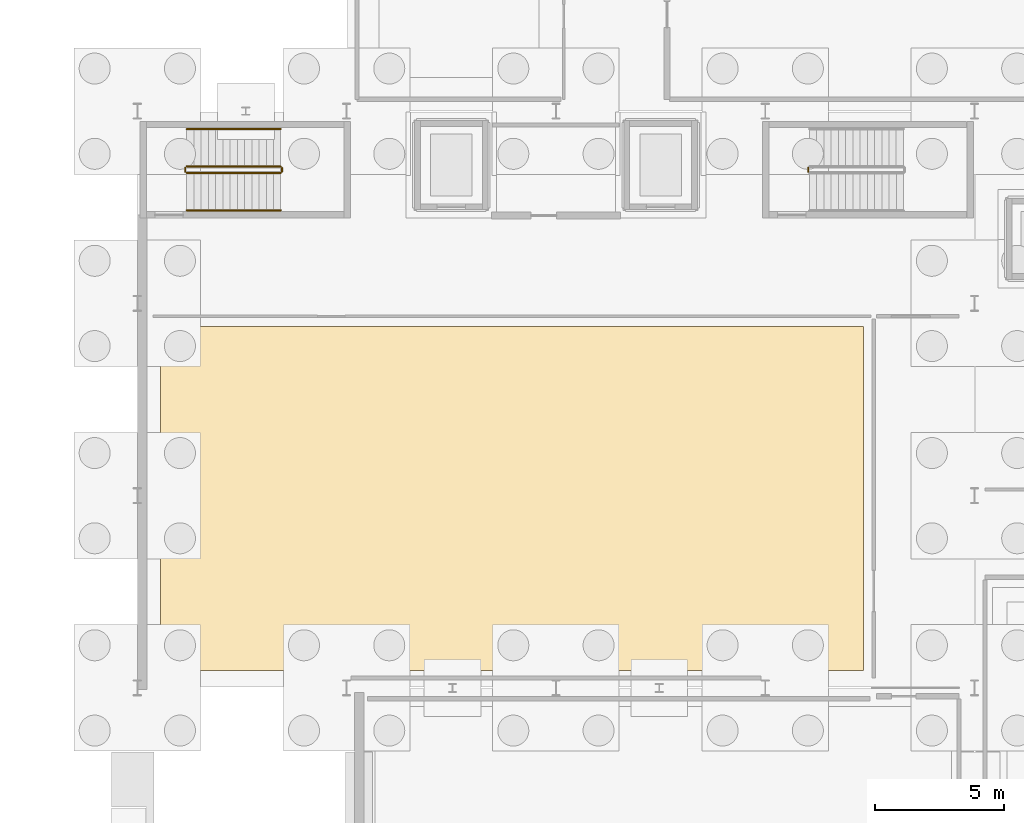
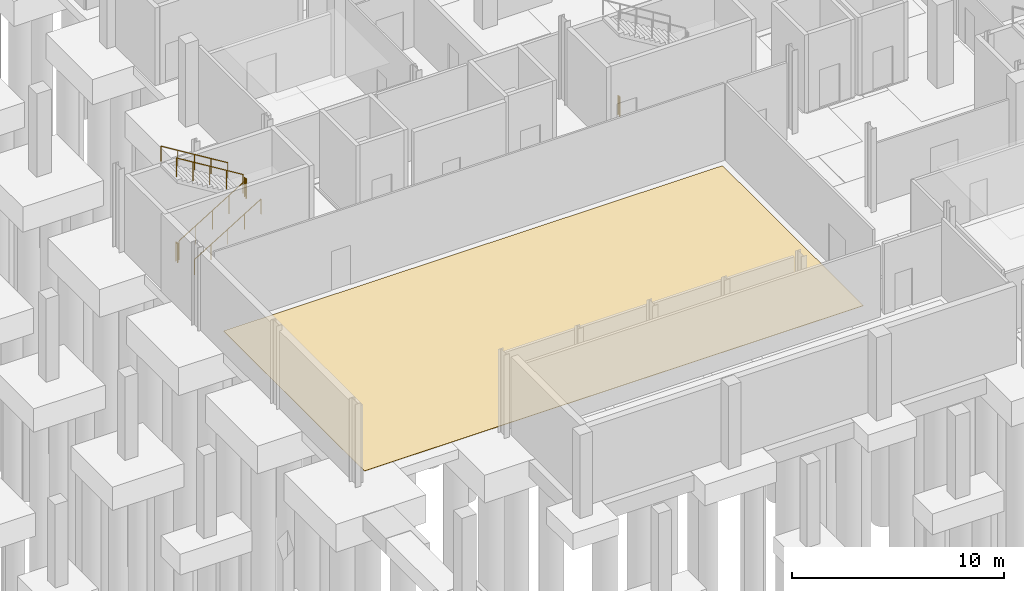
# One storey, part 34 of 37: 7 railings, 1 covering.
"""IFC4 building model written with IfcOpenShell, lengths in metres."""

import ifcopenshell
import ifcopenshell.guid

model = None  # the IFC model being written
_history = None  # IfcOwnerHistory: only IFC2X3 demands one
_inside = {}  # id of a spatial element -> (the spatial element, [elements in it])
_under = {}  # id of a project, library or spatial element -> (it, [spatial elements below it])
_declared = {}  # id of a project -> (the project, [libraries it declares])
_typed = {}  # id of a type object -> (the type object, [elements of that type])
_made_of = {}  # id of a material, layer set ... -> (it, [elements and type objects made of it])


def new_model(schema):
    """Start an empty IFC model of exactly this schema.

    Asked for "IFC4X3", IfcOpenShell would pick the latest addendum, in which some entities
    have other attributes; the version numbers below select the first issue.
    IFC2X3 requires an IfcOwnerHistory on every rooted entity: one is made here for all.
    """
    global model, _history
    if schema == "IFC4X3":
        model = ifcopenshell.file(schema_version=(4, 3, 0, 0))
    else:
        model = ifcopenshell.file(schema=schema)
    _inside.clear()
    _under.clear()
    _declared.clear()
    _typed.clear()
    _made_of.clear()
    _history = None
    if model.schema == "IFC2X3":
        org = make("IfcOrganization", Name="unknown")
        user = make(
            "IfcPersonAndOrganization",
            ThePerson=make("IfcPerson", FamilyName="unknown"),
            TheOrganization=org,
        )
        app = make(
            "IfcApplication",
            ApplicationDeveloper=org,
            Version="unknown",
            ApplicationFullName="unknown",
            ApplicationIdentifier="unknown",
        )
        _history = make(
            "IfcOwnerHistory",
            OwningUser=user,
            OwningApplication=app,
            ChangeAction="ADDED",
            CreationDate=0,
        )
    return model


def make(cls, **values):
    """One entity of the class cls with the attributes given. An attribute that is None is left unset."""
    return model.create_entity(
        cls, **{name: value for name, value in values.items() if value is not None}
    )


def rooted(cls, **values):
    """An entity with a GlobalId (a new one), such as an element, a storey or a relation."""
    return make(cls, GlobalId=ifcopenshell.guid.new(), OwnerHistory=_history, **values)


def si_unit(unit_type, name, prefix=None):
    """IfcSIUnit, for example si_unit("LENGTHUNIT", "METRE", prefix="MILLI")."""
    return make("IfcSIUnit", UnitType=unit_type, Prefix=prefix, Name=name)


def assignment(units):
    """IfcUnitAssignment: the units of a project."""
    return None if units is None else make("IfcUnitAssignment", Units=units)


def point(xyz):
    """IfcCartesianPoint."""
    return None if xyz is None else make("IfcCartesianPoint", Coordinates=xyz)


def direction(xyz):
    """IfcDirection."""
    return None if xyz is None else make("IfcDirection", DirectionRatios=xyz)


def frame(location, z_axis=None, x_axis=None):
    """IfcAxis2Placement3D, a coordinate frame: its origin and axes. An axis left out is left unset."""
    return make(
        "IfcAxis2Placement3D",
        Location=point(location),
        Axis=direction(z_axis),
        RefDirection=direction(x_axis),
    )


def frame_2d(location, x_axis=None):
    """IfcAxis2Placement2D, a coordinate frame in the plane: its origin and x axis."""
    return make(
        "IfcAxis2Placement2D", Location=point(location), RefDirection=direction(x_axis)
    )


def origin():
    """The frame at (0, 0, 0) with its axes left unset."""
    return frame((0.0, 0.0, 0.0))


def origin_2d():
    """The frame at (0, 0) in the plane with its x axis left unset."""
    return frame_2d((0.0, 0.0))


def place(relative_to, where):
    """IfcLocalPlacement: puts the frame where relative to a parent placement (None: the world)."""
    return make(
        "IfcLocalPlacement", PlacementRelTo=relative_to, RelativePlacement=where
    )


def context(
    kind, dimensions, precision=None, world=None, true_north=None, identifier=None
):
    """IfcGeometricRepresentationContext, for example the 3D "Model" context."""
    return make(
        "IfcGeometricRepresentationContext",
        ContextIdentifier=identifier,
        ContextType=kind,
        CoordinateSpaceDimension=dimensions,
        Precision=precision,
        WorldCoordinateSystem=world,
        TrueNorth=true_north,
    )


def subcontext(parent, identifier, kind, view, scale=None):
    """IfcGeometricRepresentationSubContext, for example "Body" below "Model"."""
    return make(
        "IfcGeometricRepresentationSubContext",
        ContextIdentifier=identifier,
        ContextType=kind,
        ParentContext=parent,
        TargetScale=scale,
        TargetView=view,
    )


def project(units=None, contexts=None):
    """IfcProject with its units and contexts."""
    return rooted(
        "IfcProject",
        Name="project",
        RepresentationContexts=contexts,
        UnitsInContext=assignment(units),
    )


def spatial(cls, under=None, at=None, **own):
    """A site, building, storey or space (cls), placed at a placement, below another one or the project."""
    s = rooted(cls, ObjectPlacement=at, **own)
    if under is not None:
        _under.setdefault(under.id(), (under, []))[1].append(s)
    return s


def polyline(points):
    """IfcPolyline through the points."""
    return make("IfcPolyline", Points=[point(p) for p in points])


def profile(cls, at=None, kind="AREA", **sizes):
    """A parametric profile (cls). Its sizes go by their IFC names, for example OverallWidth=200.0."""
    return make(cls, ProfileType=kind, Position=at, **sizes)


def circle(**sizes):
    """IfcCircleProfileDef."""
    return profile("IfcCircleProfileDef", **sizes)


def outline(outer, holes=None, kind="AREA"):
    """IfcArbitraryClosedProfileDef: a profile drawn as a closed curve; with holes, ...WithVoids."""
    if holes is None:
        return make("IfcArbitraryClosedProfileDef", ProfileType=kind, OuterCurve=outer)
    return make(
        "IfcArbitraryProfileDefWithVoids",
        ProfileType=kind,
        OuterCurve=outer,
        InnerCurves=holes,
    )


def extrude(swept, where, along, depth):
    """IfcExtrudedAreaSolid: the profile swept, set in the frame where, extruded along a direction by depth."""
    return make(
        "IfcExtrudedAreaSolid",
        SweptArea=swept,
        Position=where,
        ExtrudedDirection=direction(along),
        Depth=depth,
    )


def shape(context_of_items, identifier, shape_type, items):
    """IfcShapeRepresentation: the items that make up one representation, for example the "Body"."""
    return make(
        "IfcShapeRepresentation",
        ContextOfItems=context_of_items,
        RepresentationIdentifier=identifier,
        RepresentationType=shape_type,
        Items=items,
    )


def material(Name=None, Category=None):
    """IfcMaterial."""
    return make("IfcMaterial", Name=Name, Category=Category)


def layer(
    of_material, thickness, ventilated=None, Name=None, Category=None, Priority=None
):
    """IfcMaterialLayer: one layer of a wall or slab, of a material (None: an air gap)."""
    return make(
        "IfcMaterialLayer",
        Material=of_material,
        LayerThickness=thickness,
        IsVentilated=ventilated,
        Name=Name,
        Category=Category,
        Priority=Priority,
    )


def layer_set(layers, Name=None):
    """IfcMaterialLayerSet."""
    return make("IfcMaterialLayerSet", MaterialLayers=layers, LayerSetName=Name)


def made_of(thing, what):
    """Note that an element or type object is made of a material, layer set ...; save() writes the relation."""
    if what is not None:
        _made_of.setdefault(what.id(), (what, []))[1].append(thing)
    return thing


def type_object(cls, material=None, **own):
    """A type object (cls), such as IfcWallType, which elements share."""
    return made_of(rooted(cls, **own), material)


def element(
    cls,
    number,
    at=None,
    inside=None,
    cuts=None,
    type_object=None,
    material=None,
    context=None,
    identifier="Body",
    shape_type=None,
    held_by="IfcProductDefinitionShape",
    body=None,
    shapes=None,
    **own,
):
    """One element of the class cls, such as IfcWall. Its Tag is "e" and its number.

    at: its placement. inside: the storey or other place that contains it. cuts: it is an
    opening in that element (IfcRelVoidsElement). A single representation is given by context,
    identifier, shape_type and body (its items); several are given by shapes. held_by: the class
    of the entity that holds the representations. save() writes the other relations.
    """
    e = rooted(cls, Tag="e%d" % number, ObjectPlacement=at, **own)
    if body is not None:
        shapes = [shape(context, identifier, shape_type, body)]
    if shapes is not None:
        e.Representation = make(held_by, Representations=shapes)
    if inside is not None:
        _inside.setdefault(inside.id(), (inside, []))[1].append(e)
    if cuts is not None:
        rooted(
            "IfcRelVoidsElement", RelatingBuildingElement=cuts, RelatedOpeningElement=e
        )
    if type_object is not None:
        _typed.setdefault(type_object.id(), (type_object, []))[1].append(e)
    return made_of(e, material)


def aggregate(whole, parts):
    """IfcRelAggregates: a whole, such as a stair, and the parts it consists of."""
    return rooted("IfcRelAggregates", RelatingObject=whole, RelatedObjects=parts)


def save(model, path):
    """Write the relations noted so far, then the file.

    IfcRelAggregates (storeys below a building ...), IfcRelContainedInSpatialStructure (elements
    in a storey), IfcRelDefinesByType, IfcRelAssociatesMaterial and IfcRelDeclares: one each for
    every whole, place, type object, material and project.
    """
    for whole, parts in _under.values():
        aggregate(whole, parts)
    for where, things in _inside.values():
        rooted(
            "IfcRelContainedInSpatialStructure",
            RelatedElements=things,
            RelatingStructure=where,
        )
    for kind, things in _typed.values():
        rooted("IfcRelDefinesByType", RelatedObjects=things, RelatingType=kind)
    for what, things in _made_of.values():
        rooted("IfcRelAssociatesMaterial", RelatedObjects=things, RelatingMaterial=what)
    for by, libraries in _declared.values():
        rooted("IfcRelDeclares", RelatingContext=by, RelatedDefinitions=libraries)
    model.write(path)


model = new_model("IFC4")

# Units and contexts
model_context = context("Model", 3, precision=1e-05, world=origin(), true_north=direction((0.0, 1.0)))
body_context = subcontext(model_context, "Body", "Model", "MODEL_VIEW")
ifc_project = project(units=[si_unit("LENGTHUNIT", "METRE"), si_unit("AREAUNIT", "SQUARE_METRE"), si_unit("VOLUMEUNIT", "CUBIC_METRE"), si_unit("PLANEANGLEUNIT", "RADIAN"), si_unit("MASSUNIT", "GRAM", prefix="KILO")], contexts=[model_context])

# Site, building, storey
site_placement = place(None, origin())
site = spatial("IfcSite", under=ifc_project, at=site_placement, CompositionType="ELEMENT")
building_placement = place(site_placement, origin())
building = spatial("IfcBuilding", under=site, at=building_placement, Name="Kaelora Sail Theatre", CompositionType="ELEMENT")
storey_placement = place(building_placement, frame((0.0, 0.0, -4.800048828125)))
storey = spatial("IfcBuildingStorey", under=building, at=storey_placement, Name="B1", CompositionType="ELEMENT", Elevation=-4.800048828125)

# Covering
ifc_material_1 = material(Name="Acoustic rubber backstage studio flooring", Category="rubber")
ifc_layer = layer(ifc_material_1, 0.02197265625)
ifc_layer_set = layer_set([ifc_layer], Name="Acoustic rubber backstage studio flooring")
covering_type = type_object("IfcCoveringType", Name="ARC-COV-FLR-AC-22", PredefinedType="FLOORING", material=ifc_layer_set)
covering_placement = place(storey_placement, origin())
element("IfcCovering", 1, at=covering_placement, inside=storey, type_object=covering_type, Name="Architectural flooring B1-TRAP", PredefinedType="FLOORING", context=body_context, shape_type="SweptSolid", body=[
    extrude(outline(polyline([(26.699951171875, 61.699951171875), (53.89990234375, 61.699951171875), (53.89990234375, 75.0), (26.699951171875, 75.0), (26.699951171875, 61.699951171875)])), origin(), (0.0, 0.0, 1.0), 0.02197265625),
])

# Railings
ifc_material_2 = material(Name="Painted steel and laminated safety glass guard", Category="steel")
railing_type_1 = type_object("IfcRailingType", Name="ARC-RL-GRD", PredefinedType="GUARDRAIL", material=ifc_material_2)
railing_1_placement = place(storey_placement, frame((27.7099609375, 80.949951171875, 0.17138671875)))
element("IfcRailing", 2, at=railing_1_placement, inside=storey, type_object=railing_type_1, Name="B1 ST-K1 stair guard 1", PredefinedType="GUARDRAIL", context=body_context, shape_type="SweptSolid", body=[
    extrude(circle(Radius=0.02392578125, at=origin_2d()), frame((0.0, 0.0, 1.076171875), z_axis=(0.852840387347, 0.0, 0.522171689878), x_axis=(0.0, 1.0, 0.0)), (0.0, 0.0, 1.0), 4.268310546875),
    extrude(circle(Radius=0.02099609375, at=origin_2d()), origin(), (0.0, 0.0, 1.0), 1.052001953125),
    extrude(circle(Radius=0.02099609375, at=origin_2d()), frame((0.91015625, 0.0, 0.55712890625)), (0.0, 0.0, 1.0), 1.052001953125),
    extrude(circle(Radius=0.02099609375, at=origin_2d()), frame((1.820068359375, 0.0, 1.1142578125)), (0.0, 0.0, 1.0), 1.052001953125),
    extrude(circle(Radius=0.02099609375, at=origin_2d()), frame((2.72998046875, 0.0, 1.671630859375)), (0.0, 0.0, 1.0), 1.052001953125),
    extrude(circle(Radius=0.02099609375, at=origin_2d()), frame((3.64013671875, 0.0, 2.228759765625)), (0.0, 0.0, 1.0), 1.052001953125),
])
railing_2_placement = place(storey_placement, frame((31.39990234375, 81.0, 2.400146484375)))
element("IfcRailing", 3, at=railing_2_placement, inside=storey, type_object=railing_type_1, Name="B1 ST-K1 stair guard 2", PredefinedType="GUARDRAIL", context=body_context, shape_type="SweptSolid", body=[
    extrude(circle(Radius=0.02392578125, at=origin_2d()), frame((0.0, 0.0, 1.076171875), z_axis=(0.0, 1.0, 0.0), x_axis=(-1.0, 0.0, 0.0)), (0.0, 0.0, 1.0), 0.14990234375),
    extrude(circle(Radius=0.02099609375, at=origin_2d()), origin(), (0.0, 0.0, 1.0), 1.052001953125),
    extrude(circle(Radius=0.02099609375, at=origin_2d()), frame((0.0, 0.14990234375, 0.0)), (0.0, 0.0, 1.0), 1.052001953125),
])
railing_3_placement = place(storey_placement, frame((31.35009765625, 81.199951171875, 2.571533203125)))
element("IfcRailing", 4, at=railing_3_placement, inside=storey, type_object=railing_type_1, Name="B1 ST-K1 stair guard 3", PredefinedType="GUARDRAIL", context=body_context, shape_type="SweptSolid", body=[
    extrude(circle(Radius=0.02392578125, at=origin_2d()), frame((0.0, 0.0, 1.076171875), z_axis=(-0.852865859571, 0.0, 0.52213008492), x_axis=(0.0, -1.0, 0.0)), (0.0, 0.0, 1.0), 4.26806640625),
    extrude(circle(Radius=0.02099609375, at=origin_2d()), origin(), (0.0, 0.0, 1.0), 1.052001953125),
    extrude(circle(Radius=0.02099609375, at=origin_2d()), frame((-0.91015625, 0.0, 0.55712890625)), (0.0, 0.0, 1.0), 1.052001953125),
    extrude(circle(Radius=0.02099609375, at=origin_2d()), frame((-1.820068359375, 0.0, 1.1142578125)), (0.0, 0.0, 1.0), 1.052001953125),
    extrude(circle(Radius=0.02099609375, at=origin_2d()), frame((-2.72998046875, 0.0, 1.67138671875)), (0.0, 0.0, 1.0), 1.052001953125),
    extrude(circle(Radius=0.02099609375, at=origin_2d()), frame((-3.64013671875, 0.0, 2.228515625)), (0.0, 0.0, 1.0), 1.052001953125),
])
for number, where, name in (
    (5, (27.659912109375, 81.0, 0.0), "B1 ST-K1 stair guard 4"),
    (6, (51.760009765625, 81.0, 0.0), "B1 ST-K5 stair guard 4"),
):
    element("IfcRailing", number, at=place(storey_placement, frame(where)), inside=storey, type_object=railing_type_1, Name=name, PredefinedType="GUARDRAIL", context=body_context, shape_type="SweptSolid", body=[
        extrude(circle(Radius=0.02392578125, at=origin_2d()), frame((0.0, 0.0, 1.076171875), z_axis=(0.0, 1.0, 0.0), x_axis=(-1.0, 0.0, 0.0)), (0.0, 0.0, 1.0), 0.14990234375),
        extrude(circle(Radius=0.02099609375, at=origin_2d()), origin(), (0.0, 0.0, 1.0), 1.052001953125),
        extrude(circle(Radius=0.02099609375, at=origin_2d()), frame((0.0, 0.14990234375, 0.0)), (0.0, 0.0, 1.0), 1.052001953125),
    ])
ifc_material_3 = material(Name="Brushed stainless steel 316L tubular handrail", Category="steel")
railing_type_2 = type_object("IfcRailingType", Name="ARC-RL-HND", PredefinedType="HANDRAIL", material=ifc_material_3)
railing_4_placement = place(storey_placement, frame((27.7099609375, 79.5, 0.17138671875)))
element("IfcRailing", 7, at=railing_4_placement, inside=storey, type_object=railing_type_2, Name="B1 ST-K1 stair handrail 1", PredefinedType="HANDRAIL", context=body_context, shape_type="SweptSolid", body=[
    extrude(circle(Radius=0.02392578125, at=origin_2d()), frame((0.0, 0.0, 0.8759765625), z_axis=(0.852840387347, 0.0, 0.522171689878), x_axis=(0.0, 1.0, 0.0)), (0.0, 0.0, 1.0), 4.268310546875),
    extrude(circle(Radius=0.02099609375, at=origin_2d()), origin(), (0.0, 0.0, 1.0), 0.851806640625),
    extrude(circle(Radius=0.02099609375, at=origin_2d()), frame((0.91015625, 0.0, 0.55712890625)), (0.0, 0.0, 1.0), 0.851806640625),
    extrude(circle(Radius=0.02099609375, at=origin_2d()), frame((1.820068359375, 0.0, 1.1142578125)), (0.0, 0.0, 1.0), 0.851806640625),
    extrude(circle(Radius=0.02099609375, at=origin_2d()), frame((2.72998046875, 0.0, 1.671630859375)), (0.0, 0.0, 1.0), 0.851806640625),
    extrude(circle(Radius=0.02099609375, at=origin_2d()), frame((3.64013671875, 0.0, 2.228759765625)), (0.0, 0.0, 1.0), 0.851806640625),
])
railing_5_placement = place(storey_placement, frame((31.35009765625, 82.64990234375, 2.571533203125)))
element("IfcRailing", 8, at=railing_5_placement, inside=storey, type_object=railing_type_2, Name="B1 ST-K1 stair handrail 2", PredefinedType="HANDRAIL", context=body_context, shape_type="SweptSolid", body=[
    extrude(circle(Radius=0.02392578125, at=origin_2d()), frame((0.0, 0.0, 0.8759765625), z_axis=(-0.852865859571, 0.0, 0.52213008492), x_axis=(0.0, -1.0, 0.0)), (0.0, 0.0, 1.0), 4.26806640625),
    extrude(circle(Radius=0.02099609375, at=origin_2d()), origin(), (0.0, 0.0, 1.0), 0.851806640625),
    extrude(circle(Radius=0.02099609375, at=origin_2d()), frame((-0.91015625, 0.0, 0.55712890625)), (0.0, 0.0, 1.0), 0.851806640625),
    extrude(circle(Radius=0.02099609375, at=origin_2d()), frame((-1.820068359375, 0.0, 1.1142578125)), (0.0, 0.0, 1.0), 0.851806640625),
    extrude(circle(Radius=0.02099609375, at=origin_2d()), frame((-2.72998046875, 0.0, 1.67138671875)), (0.0, 0.0, 1.0), 0.851806640625),
    extrude(circle(Radius=0.02099609375, at=origin_2d()), frame((-3.64013671875, 0.0, 2.228515625)), (0.0, 0.0, 1.0), 0.851806640625),
])

save(model, "model.ifc")
